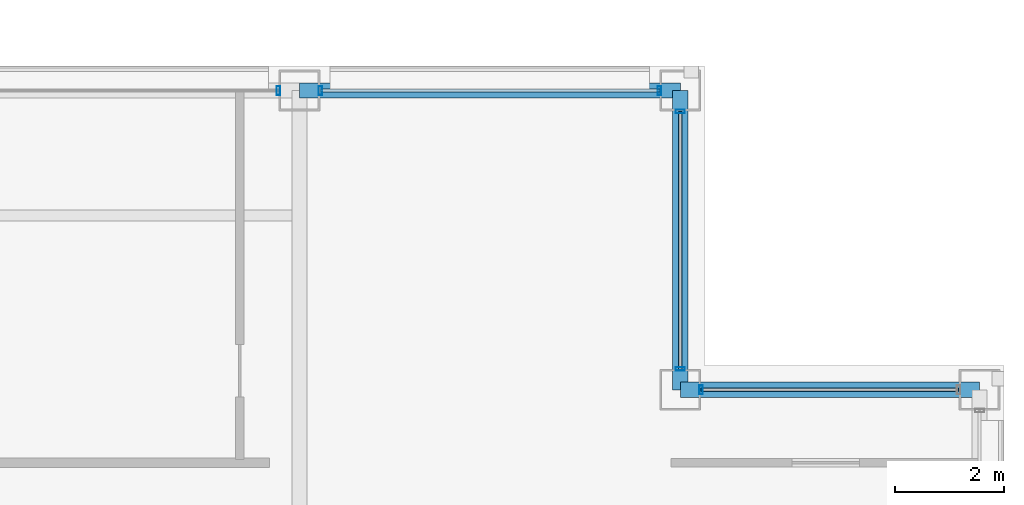
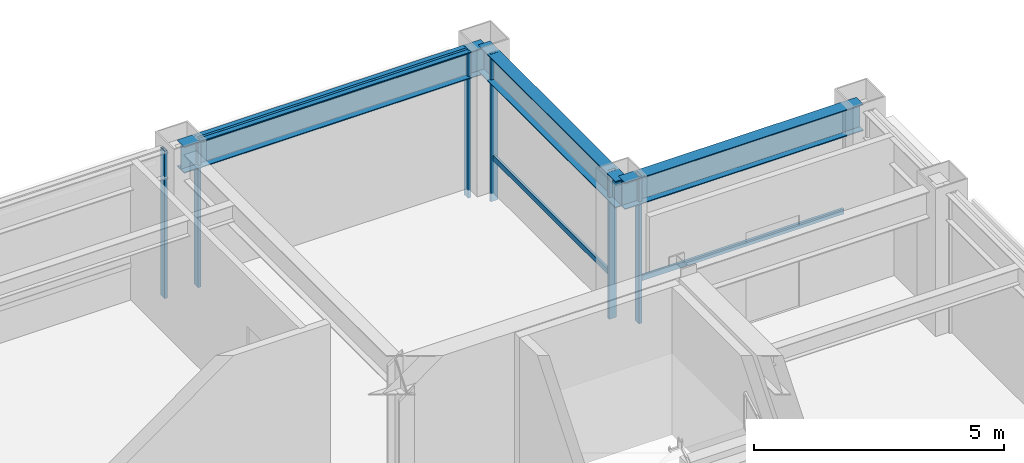
# One storey, part 22 of 31: 9 members, 3 beams, 4 elements without a shape of their own.
"""IFC4 building model written with IfcOpenShell, lengths in metres."""

from ifc_helpers import new_model, si_unit, direction, frame, origin, origin_2d, place, context, subcontext, project, spatial, hollow_rectangle, i_section, extrude, material, layer, layer_set, material_profile, profile_set, type_object, element, aggregate, save


model = new_model("IFC4")

# Units and contexts
model_context = context("Model", 3, precision=1e-05, world=origin(), true_north=direction((0.0, 1.0)))
body_context = subcontext(model_context, "Body", "Model", "MODEL_VIEW")
ifc_project = project(units=[si_unit("LENGTHUNIT", "METRE"), si_unit("AREAUNIT", "SQUARE_METRE"), si_unit("VOLUMEUNIT", "CUBIC_METRE"), si_unit("PLANEANGLEUNIT", "RADIAN"), si_unit("MASSUNIT", "GRAM", prefix="KILO")], contexts=[model_context])

# Site, building, storey
site_placement = place(None, origin())
site = spatial("IfcSite", under=ifc_project, at=site_placement, CompositionType="ELEMENT")
building_placement = place(site_placement, origin())
building = spatial("IfcBuilding", under=site, at=building_placement, Name="Brelmoor Portico Tower", CompositionType="ELEMENT")
storey_placement = place(building_placement, frame((0.0, 0.0, 176.699951171875)))
storey = spatial("IfcBuildingStorey", under=building, at=storey_placement, Name="L46", CompositionType="ELEMENT", Elevation=176.699951171875)

# Beams
ifc_material_1 = material(Name="Steel Q355B", Category="steel")
ifc_material_profile_1 = material_profile(ifc_material_1, i_section(OverallWidth=0.280029296875, OverallDepth=0.64990234375, WebThickness=0.012939453125, FlangeThickness=0.02197265625, at=origin_2d()), Name="HN 650x280x13x22")
ifc_profile_set_1 = profile_set([ifc_material_profile_1], Name="Steel Q355B")
beam_type = type_object("IfcBeamType", Name="BM-SP-650", PredefinedType="SPANDREL", material=ifc_profile_set_1)
beam_1_placement = place(storey_placement, frame((15.050048828125, 13.050048828125, 3.074951171875), z_axis=(1.0, 0.0, 0.0), x_axis=(0.0, 1.0, 0.0)))
element("IfcBeam", 1, at=beam_1_placement, inside=storey, type_object=beam_type, Name="L46 Perimeter Spandrel Beam SP-07", PredefinedType="SPANDREL", context=body_context, shape_type="SweptSolid", body=[
    extrude(i_section(OverallWidth=0.280029296875, OverallDepth=0.64990234375, WebThickness=0.012939453125, FlangeThickness=0.02197265625, at=origin_2d()), origin(), (0.0, 0.0, 1.0), 5.5),
])
beam_2_placement = place(storey_placement, frame((8.050048828125, 18.550048828125, 3.074951171875), z_axis=(1.0, 0.0, 0.0), x_axis=(0.0, 1.0, 0.0)))
element("IfcBeam", 2, at=beam_2_placement, inside=storey, type_object=beam_type, Name="L46 Perimeter Spandrel Beam SP-10", PredefinedType="SPANDREL", context=body_context, shape_type="SweptSolid", body=[
    extrude(i_section(OverallWidth=0.280029296875, OverallDepth=0.64990234375, WebThickness=0.012939453125, FlangeThickness=0.02197265625, at=origin_2d()), origin(), (0.0, 0.0, 1.0), 7.0),
])
beam_3_placement = place(storey_placement, frame((15.050048828125, 13.050048828125, 3.074951171875), z_axis=(0.0, 1.0, 0.0), x_axis=(-1.0, 0.0, 0.0)))
element("IfcBeam", 3, at=beam_3_placement, inside=storey, type_object=beam_type, Name="L46 Perimeter Spandrel Beam SP-17", PredefinedType="SPANDREL", context=body_context, shape_type="SweptSolid", body=[
    extrude(i_section(OverallWidth=0.280029296875, OverallDepth=0.64990234375, WebThickness=0.012939453125, FlangeThickness=0.02197265625, at=origin_2d()), origin(), (0.0, 0.0, 1.0), 5.5),
])

# Curtain wall, member
ifc_material_2 = material(Name="Anodised Aluminium Alloy 6063-T6", Category="aluminium")
ifc_layer_1 = layer(ifc_material_2, 0.179931640625)
ifc_layer_set_1 = layer_set([ifc_layer_1], Name="Anodised Aluminium Alloy 6063-T6")
curtain_wall_type_1 = type_object("IfcCurtainWallType", Name="CW-TOWER-Z3", PredefinedType="NOTDEFINED", material=ifc_layer_set_1)
curtain_wall_1_placement = place(storey_placement, origin())
curtain_wall_1 = element("IfcCurtainWall", 4, at=curtain_wall_1_placement, inside=storey, type_object=curtain_wall_type_1, Name="L46 Curtain Wall CW-L46-2R-1", PredefinedType="NOTDEFINED")
ifc_material_profile_2 = material_profile(ifc_material_2, hollow_rectangle(XDim=0.06494140625, YDim=0.1650390625, WallThickness=0.00390625, at=origin_2d()), Name="ALU MULLION 65x165")
ifc_profile_set_2 = profile_set([ifc_material_profile_2], Name="Anodised Aluminium Alloy 6063-T6")
member_type_1 = type_object("IfcMemberType", Name="MB-CW-MULL-165", PredefinedType="MULLION", material=ifc_profile_set_2)
member_1_placement = place(storey_placement, frame((7.6650390625, 18.550048828125, -0.199951171875), z_axis=(0.0, 0.0, 1.0), x_axis=(1.0, 0.0, 0.0)))
member_1 = element("IfcMember", 5, at=member_1_placement, type_object=member_type_1, Name="CW-L46-2R-1 Mullion 01", PredefinedType="MULLION", context=body_context, shape_type="SweptSolid", body=[
    extrude(hollow_rectangle(XDim=0.06494140625, YDim=0.1650390625, WallThickness=0.00390625, at=origin_2d()), origin(), (0.0, 0.0, 1.0), 3.60009765625),
])
aggregate(curtain_wall_1, [member_1])

# Curtain wall, members
ifc_layer_2 = layer(ifc_material_2, 0.179931640625)
ifc_layer_set_2 = layer_set([ifc_layer_2], Name="Anodised Aluminium Alloy 6063-T6")
curtain_wall_type_2 = type_object("IfcCurtainWallType", Name="CW-TOWER-Z3-XB", PredefinedType="NOTDEFINED", material=ifc_layer_set_2)
curtain_wall_2_placement = place(storey_placement, origin())
curtain_wall_2 = element("IfcCurtainWall", 6, at=curtain_wall_2_placement, inside=storey, type_object=curtain_wall_type_2, Name="L46 Curtain Wall CW-L46-2R-2", PredefinedType="NOTDEFINED")
member_2_placement = place(storey_placement, frame((8.43505859375, 18.550048828125, -0.199951171875), z_axis=(0.0, 0.0, 1.0), x_axis=(1.0, 0.0, 0.0)))
member_2 = element("IfcMember", 7, at=member_2_placement, type_object=member_type_1, Name="CW-L46-2R-2 Mullion 00", PredefinedType="MULLION", context=body_context, shape_type="SweptSolid", body=[
    extrude(hollow_rectangle(XDim=0.06494140625, YDim=0.1650390625, WallThickness=0.00390625, at=origin_2d()), origin(), (0.0, 0.0, 1.0), 3.60009765625),
])
member_3_placement = place(storey_placement, frame((14.6650390625, 18.550048828125, -0.199951171875), z_axis=(0.0, 0.0, 1.0), x_axis=(1.0, 0.0, 0.0)))
member_3 = element("IfcMember", 8, at=member_3_placement, type_object=member_type_1, Name="CW-L46-2R-2 Mullion 01", PredefinedType="MULLION", context=body_context, shape_type="SweptSolid", body=[
    extrude(hollow_rectangle(XDim=0.06494140625, YDim=0.1650390625, WallThickness=0.00390625, at=origin_2d()), origin(), (0.0, 0.0, 1.0), 3.60009765625),
])

# Curtain wall, member
ifc_layer_3 = layer(ifc_material_2, 0.179931640625)
ifc_layer_set_3 = layer_set([ifc_layer_3], Name="Anodised Aluminium Alloy 6063-T6")
curtain_wall_type_3 = type_object("IfcCurtainWallType", Name="CW-NOTCH-CHAMFER", PredefinedType="NOTDEFINED", material=ifc_layer_set_3)
curtain_wall_3_placement = place(storey_placement, origin())
curtain_wall_3 = element("IfcCurtainWall", 9, at=curtain_wall_3_placement, inside=storey, type_object=curtain_wall_type_3, Name="L46 Curtain Wall CWN-L46-NEH", PredefinedType="NOTDEFINED")
member_4_placement = place(storey_placement, frame((15.43505859375, 13.050048828125, -0.199951171875), z_axis=(0.0, 0.0, 1.0), x_axis=(1.0, 0.0, 0.0)))
member_4 = element("IfcMember", 10, at=member_4_placement, type_object=member_type_1, Name="CWN-L46-NEH Mullion 00", PredefinedType="MULLION", context=body_context, shape_type="SweptSolid", body=[
    extrude(hollow_rectangle(XDim=0.06494140625, YDim=0.1650390625, WallThickness=0.00390625, at=origin_2d()), origin(), (0.0, 0.0, 1.0), 3.60009765625),
])

# Curtain wall, members
curtain_wall_4_placement = place(storey_placement, origin())
curtain_wall_4 = element("IfcCurtainWall", 11, at=curtain_wall_4_placement, inside=storey, type_object=curtain_wall_type_3, Name="L46 Curtain Wall CWN-L46-NEV", PredefinedType="NOTDEFINED")
member_5_placement = place(storey_placement, frame((15.050048828125, 13.43505859375, -0.199951171875), z_axis=(0.0, 0.0, 1.0), x_axis=(0.0, 1.0, 0.0)))
member_5 = element("IfcMember", 12, at=member_5_placement, type_object=member_type_1, Name="CWN-L46-NEV Mullion 00", PredefinedType="MULLION", context=body_context, shape_type="SweptSolid", body=[
    extrude(hollow_rectangle(XDim=0.06494140625, YDim=0.1650390625, WallThickness=0.00390625, at=origin_2d()), origin(), (0.0, 0.0, 1.0), 3.60009765625),
])
member_6_placement = place(storey_placement, frame((15.050048828125, 18.1650390625, -0.199951171875), z_axis=(0.0, 0.0, 1.0), x_axis=(0.0, 1.0, 0.0)))
member_6 = element("IfcMember", 13, at=member_6_placement, type_object=member_type_1, Name="CWN-L46-NEV Mullion 01", PredefinedType="MULLION", context=body_context, shape_type="SweptSolid", body=[
    extrude(hollow_rectangle(XDim=0.06494140625, YDim=0.1650390625, WallThickness=0.00390625, at=origin_2d()), origin(), (0.0, 0.0, 1.0), 3.60009765625),
])

# Member
ifc_material_profile_3 = material_profile(ifc_material_2, hollow_rectangle(XDim=0.06005859375, YDim=0.125, WallThickness=0.00341796875, at=origin_2d()), Name="ALU TRANSOM 60x125")
ifc_profile_set_3 = profile_set([ifc_material_profile_3], Name="Anodised Aluminium Alloy 6063-T6")
member_type_2 = type_object("IfcMemberType", Name="MB-CW-TRAN-125", PredefinedType="USERDEFINED", material=ifc_profile_set_3)
member_7_placement = place(storey_placement, frame((8.43505859375, 18.550048828125, 3.337646484375), z_axis=(1.0, 0.0, 0.0), x_axis=(0.0, 1.0, 0.0)))
member_7 = element("IfcMember", 14, at=member_7_placement, type_object=member_type_2, Name="CW-L46-2R-2 Transom 1-00", ObjectType="TRANSOM", PredefinedType="USERDEFINED", context=body_context, shape_type="SweptSolid", body=[
    extrude(hollow_rectangle(XDim=0.06005859375, YDim=0.125, WallThickness=0.00341796875, at=origin_2d()), origin(), (0.0, 0.0, 1.0), 6.22998046875),
])

aggregate(curtain_wall_2, [member_2, member_3, member_7])

member_8_placement = place(storey_placement, frame((15.43505859375, 13.050048828125, 0.85009765625), z_axis=(1.0, 0.0, 0.0), x_axis=(0.0, 1.0, 0.0)))
member_8 = element("IfcMember", 15, at=member_8_placement, type_object=member_type_2, Name="CWN-L46-NEH Transom 1-00", ObjectType="TRANSOM", PredefinedType="USERDEFINED", context=body_context, shape_type="SweptSolid", body=[
    extrude(hollow_rectangle(XDim=0.06005859375, YDim=0.125, WallThickness=0.00341796875, at=origin_2d()), origin(), (0.0, 0.0, 1.0), 4.72998046875),
])

aggregate(curtain_wall_3, [member_4, member_8])

member_9_placement = place(storey_placement, frame((15.050048828125, 13.43505859375, 0.85009765625), z_axis=(0.0, 1.0, 0.0), x_axis=(-1.0, 0.0, 0.0)))
member_9 = element("IfcMember", 16, at=member_9_placement, type_object=member_type_2, Name="CWN-L46-NEV Transom 1-00", ObjectType="TRANSOM", PredefinedType="USERDEFINED", context=body_context, shape_type="SweptSolid", body=[
    extrude(hollow_rectangle(XDim=0.06005859375, YDim=0.125, WallThickness=0.00341796875, at=origin_2d()), origin(), (0.0, 0.0, 1.0), 4.72998046875),
])

aggregate(curtain_wall_4, [member_5, member_6, member_9])

save(model, "model.ifc")
